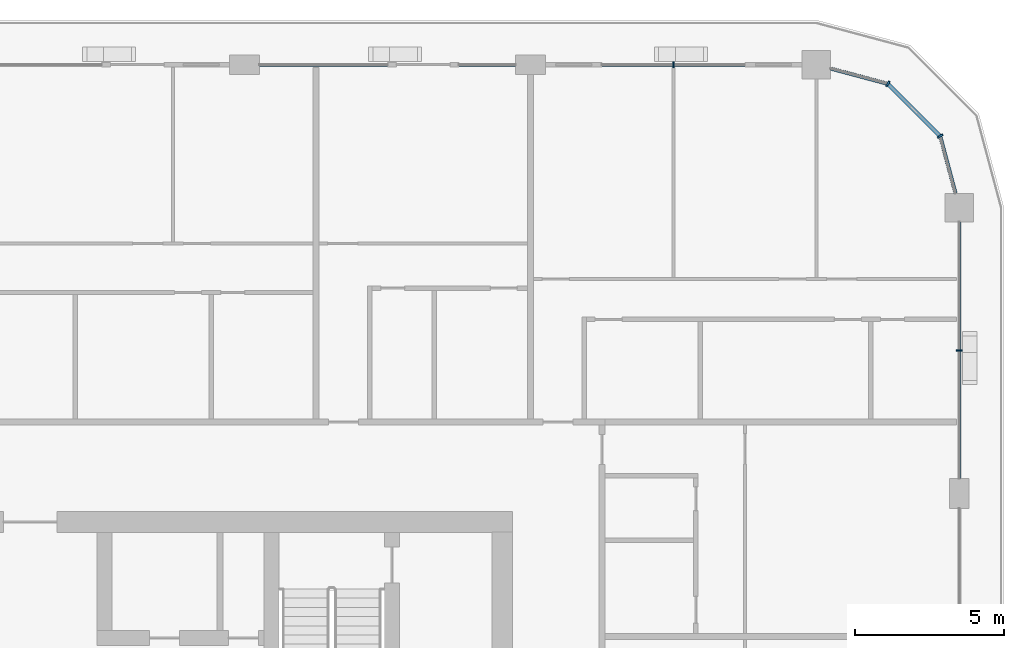
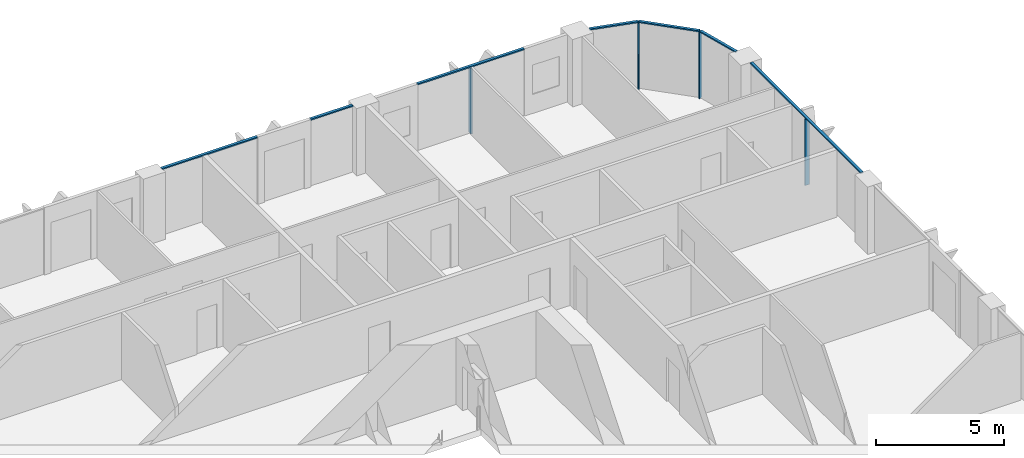
# One storey, part 6 of 23: 11 members, 4 elements without a shape of their own.
"""IFC4 building model written with IfcOpenShell, lengths in metres."""

from ifc_helpers import new_model, si_unit, direction, frame, origin, origin_2d, place, context, subcontext, project, spatial, rectangle, extrude, material, layer, layer_set, material_profile, profile_set, type_object, element, aggregate, save


model = new_model("IFC4")

# Units and contexts
model_context = context("Model", 3, precision=1e-05, world=origin(), true_north=direction((0.0, 1.0)))
body_context = subcontext(model_context, "Body", "Model", "MODEL_VIEW")
ifc_project = project(units=[si_unit("LENGTHUNIT", "METRE"), si_unit("AREAUNIT", "SQUARE_METRE"), si_unit("VOLUMEUNIT", "CUBIC_METRE"), si_unit("PLANEANGLEUNIT", "RADIAN"), si_unit("MASSUNIT", "GRAM", prefix="KILO")], contexts=[model_context])

# Site, building, storey
site_placement = place(None, origin())
site = spatial("IfcSite", under=ifc_project, at=site_placement, CompositionType="ELEMENT")
building_placement = place(site_placement, origin())
building = spatial("IfcBuilding", under=site, at=building_placement, Name="Madar Terraces", CompositionType="ELEMENT")
storey_placement = place(building_placement, frame((0.0, 0.0, 215.800048828125)))
storey = spatial("IfcBuildingStorey", under=building, at=storey_placement, Name="L56", CompositionType="ELEMENT", Elevation=215.800048828125)

# Curtain wall, member
ifc_material_1 = material(Name="Glass, ceramic frit dark grey, with black aluminium frame", Category="aluminium")
ifc_layer = layer(ifc_material_1, 0.199951171875)
ifc_layer_set = layer_set([ifc_layer], Name="Facade curtain wall, fritted glass")
curtain_wall_type = type_object("IfcCurtainWallType", Name="Facade curtain wall, fritted glass", PredefinedType="NOTDEFINED", material=ifc_layer_set)
curtain_wall_1_placement = place(storey_placement, origin())
curtain_wall_1 = element("IfcCurtainWall", 1, at=curtain_wall_1_placement, inside=storey, type_object=curtain_wall_type, Name="Outer skin curtain wall east bay 4", PredefinedType="NOTDEFINED")
ifc_material_2 = material(Name="Aluminium, black anodised", Category="aluminium")
ifc_material_profile_1 = material_profile(ifc_material_2, rectangle(XDim=0.199951171875, YDim=0.06005859375, at=origin_2d()), Name="Facade mullion 60x200")
ifc_profile_set_1 = profile_set([ifc_material_profile_1], Name="Aluminium, black anodised")
member_type_1 = type_object("IfcMemberType", Name="Facade mullion 60x200", PredefinedType="MULLION", material=ifc_profile_set_1)
member_1_placement = place(storey_placement, frame((62.39990234375, 43.199951171875, 0.0), z_axis=(0.0, 0.0, 1.0), x_axis=(-1.0, 0.0, 0.0)))
member_1 = element("IfcMember", 2, at=member_1_placement, type_object=member_type_1, Name="Mullion 1", PredefinedType="MULLION", context=body_context, shape_type="SweptSolid", body=[
    extrude(rectangle(XDim=0.199951171875, YDim=0.06005859375, at=origin_2d()), origin(), (0.0, 0.0, 1.0), 3.139892578125),
])

curtain_wall_2_placement = place(storey_placement, origin())
curtain_wall_2 = element("IfcCurtainWall", 3, at=curtain_wall_2_placement, inside=storey, type_object=curtain_wall_type, Name="Outer skin curtain wall north bay 1", PredefinedType="NOTDEFINED")
member_2_placement = place(storey_placement, frame((52.800048828125, 52.800048828125, 0.0), z_axis=(0.0, 0.0, 1.0), x_axis=(0.0, -1.0, 0.0)))
member_2 = element("IfcMember", 4, at=member_2_placement, type_object=member_type_1, Name="Mullion 1", PredefinedType="MULLION", context=body_context, shape_type="SweptSolid", body=[
    extrude(rectangle(XDim=0.199951171875, YDim=0.06005859375, at=origin_2d()), origin(), (0.0, 0.0, 1.0), 3.139892578125),
])

# Curtain wall, members
curtain_wall_3_placement = place(storey_placement, origin())
curtain_wall_3 = element("IfcCurtainWall", 5, at=curtain_wall_3_placement, inside=storey, type_object=curtain_wall_type, Name="Outer skin curtain wall north-east corner", PredefinedType="NOTDEFINED")
member_3_placement = place(storey_placement, frame((61.7568359375, 50.39990234375, 0.0), z_axis=(0.0, 0.0, 1.0), x_axis=(-0.866025409797, -0.499999989586, 0.0)))
member_3 = element("IfcMember", 6, at=member_3_placement, type_object=member_type_1, Name="Mullion 1", PredefinedType="MULLION", context=body_context, shape_type="SweptSolid", body=[
    extrude(rectangle(XDim=0.199951171875, YDim=0.06005859375, at=origin_2d()), origin(), (0.0, 0.0, 1.0), 3.139892578125),
])
member_4_placement = place(storey_placement, frame((60.0, 52.156982421875, 0.0), z_axis=(0.0, 0.0, 1.0), x_axis=(-0.499999989586, -0.866025409797, 0.0)))
member_4 = element("IfcMember", 7, at=member_4_placement, type_object=member_type_1, Name="Mullion 2", PredefinedType="MULLION", context=body_context, shape_type="SweptSolid", body=[
    extrude(rectangle(XDim=0.199951171875, YDim=0.06005859375, at=origin_2d()), origin(), (0.0, 0.0, 1.0), 3.139892578125),
])

# Member
ifc_material_3 = material(Name="Aluminium, black anodised", Category="aluminium")
ifc_material_profile_2 = material_profile(ifc_material_3, rectangle(XDim=0.1201171875, YDim=0.06005859375, at=origin_2d()), Name="Facade transom 60x120")
ifc_profile_set_2 = profile_set([ifc_material_profile_2], Name="Aluminium, black anodised")
member_type_2 = type_object("IfcMemberType", Name="Facade transom 60x120", PredefinedType="USERDEFINED", material=ifc_profile_set_2)
member_5_placement = place(storey_placement, frame((62.39990234375, 38.89990234375, 3.169921875), z_axis=(0.0, 1.0, 0.0), x_axis=(-1.0, 0.0, 0.0)))
member_5 = element("IfcMember", 8, at=member_5_placement, type_object=member_type_2, Name="Transom 1", ObjectType="TRANSOM", PredefinedType="USERDEFINED", context=body_context, shape_type="SweptSolid", body=[
    extrude(rectangle(XDim=0.1201171875, YDim=0.06005859375, at=origin_2d()), origin(), (0.0, 0.0, 1.0), 8.625),
])

aggregate(curtain_wall_1, [member_1, member_5])

member_6_placement = place(storey_placement, frame((55.199951171875, 52.800048828125, 3.169921875), z_axis=(-1.0, 0.0, 0.0), x_axis=(0.0, -1.0, 0.0)))
member_6 = element("IfcMember", 9, at=member_6_placement, type_object=member_type_2, Name="Transom 1", ObjectType="TRANSOM", PredefinedType="USERDEFINED", context=body_context, shape_type="SweptSolid", body=[
    extrude(rectangle(XDim=0.1201171875, YDim=0.06005859375, at=origin_2d()), origin(), (0.0, 0.0, 1.0), 4.800048828125),
])

aggregate(curtain_wall_2, [member_2, member_6])

# Curtain wall, members
curtain_wall_4_placement = place(storey_placement, origin())
curtain_wall_4 = element("IfcCurtainWall", 10, at=curtain_wall_4_placement, inside=storey, type_object=curtain_wall_type, Name="Outer skin curtain wall north bay 2", PredefinedType="NOTDEFINED")
member_7_placement = place(storey_placement, frame((47.5, 52.800048828125, 3.169921875), z_axis=(-1.0, 0.0, 0.0), x_axis=(0.0, -1.0, 0.0)))
member_7 = element("IfcMember", 11, at=member_7_placement, type_object=member_type_2, Name="Transom 1", ObjectType="TRANSOM", PredefinedType="USERDEFINED", context=body_context, shape_type="SweptSolid", body=[
    extrude(rectangle(XDim=0.1201171875, YDim=0.06005859375, at=origin_2d()), origin(), (0.0, 0.0, 1.0), 1.89990234375),
])
member_8_placement = place(storey_placement, frame((43.199951171875, 52.800048828125, 3.169921875), z_axis=(-1.0, 0.0, 0.0), x_axis=(0.0, -1.0, 0.0)))
member_8 = element("IfcMember", 12, at=member_8_placement, type_object=member_type_2, Name="Transom 2", ObjectType="TRANSOM", PredefinedType="USERDEFINED", context=body_context, shape_type="SweptSolid", body=[
    extrude(rectangle(XDim=0.1201171875, YDim=0.06005859375, at=origin_2d()), origin(), (0.0, 0.0, 1.0), 4.300048828125),
])
aggregate(curtain_wall_4, [member_7, member_8])

# Member
member_9_placement = place(storey_placement, frame((62.272705078125, 48.47509765625, 3.169921875), z_axis=(-0.258831412352, 0.96592251241, 0.0), x_axis=(-0.96592251241, -0.258831412352, 0.0)))
member_9 = element("IfcMember", 13, at=member_9_placement, type_object=member_type_2, Name="Transom 1", ObjectType="TRANSOM", PredefinedType="USERDEFINED", context=body_context, shape_type="SweptSolid", body=[
    extrude(rectangle(XDim=0.1201171875, YDim=0.06005859375, at=origin_2d()), origin(), (0.0, 0.0, 1.0), 1.962890625),
])

member_10_placement = place(storey_placement, frame((61.735595703125, 50.421142578125, 3.169921875), z_axis=(-0.707056433593, 0.707157125196, 0.0), x_axis=(-0.707157125196, -0.707056433593, 0.0)))
member_10 = element("IfcMember", 14, at=member_10_placement, type_object=member_type_2, Name="Transom 2", ObjectType="TRANSOM", PredefinedType="USERDEFINED", context=body_context, shape_type="SweptSolid", body=[
    extrude(rectangle(XDim=0.1201171875, YDim=0.06005859375, at=origin_2d()), origin(), (0.0, 0.0, 1.0), 2.424560546875),
])

member_11_placement = place(storey_placement, frame((59.970947265625, 52.164794921875, 3.169921875), z_axis=(-0.965953602414, 0.258715360935, 0.0), x_axis=(-0.258715360935, -0.965953602414, 0.0)))
member_11 = element("IfcMember", 15, at=member_11_placement, type_object=member_type_2, Name="Transom 3", ObjectType="TRANSOM", PredefinedType="USERDEFINED", context=body_context, shape_type="SweptSolid", body=[
    extrude(rectangle(XDim=0.1201171875, YDim=0.06005859375, at=origin_2d()), origin(), (0.0, 0.0, 1.0), 1.962890625),
])

aggregate(curtain_wall_3, [member_3, member_9, member_4, member_10, member_11])

save(model, "model.ifc")
